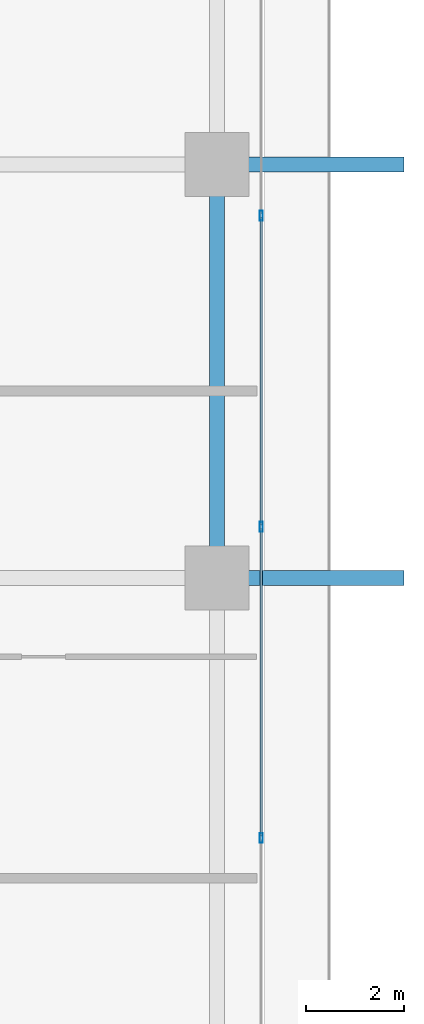
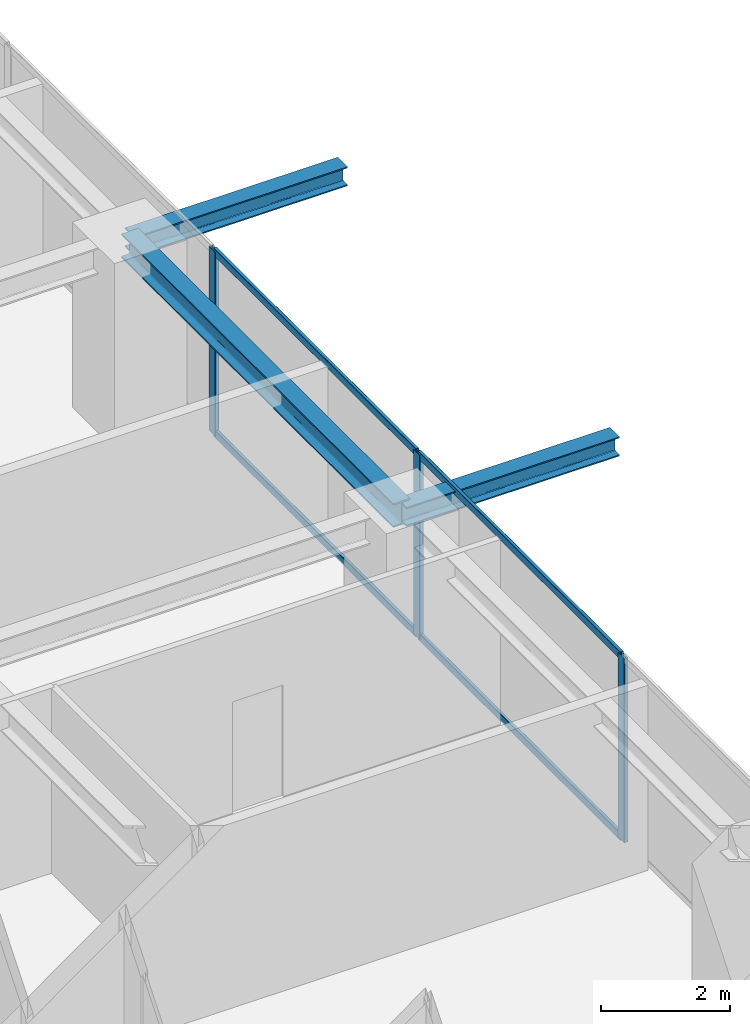
# One storey, part 15 of 34: 7 members, 3 beams, 1 element without a shape of its own.
"""IFC4 building model written with IfcOpenShell, lengths in metres."""

from ifc_helpers import new_model, si_unit, direction, frame, origin, origin_2d, place, context, subcontext, project, spatial, hollow_rectangle, i_section, extrude, source, transform, mapped, material, layer, layer_set, material_profile, profile_set, type_object, element, aggregate, save


model = new_model("IFC4")

# Units and contexts
model_context = context("Model", 3, precision=1e-05, world=origin(), true_north=direction((0.0, 1.0)))
body_context = subcontext(model_context, "Body", "Model", "MODEL_VIEW")
ifc_project = project(units=[si_unit("LENGTHUNIT", "METRE"), si_unit("AREAUNIT", "SQUARE_METRE"), si_unit("VOLUMEUNIT", "CUBIC_METRE"), si_unit("PLANEANGLEUNIT", "RADIAN"), si_unit("MASSUNIT", "GRAM", prefix="KILO")], contexts=[model_context])

# Site, building, storey
site_placement = place(None, origin())
site = spatial("IfcSite", under=ifc_project, at=site_placement, CompositionType="ELEMENT")
building_placement = place(site_placement, origin())
building = spatial("IfcBuilding", under=site, at=building_placement, Name="Serunith Strait Residences", CompositionType="ELEMENT")
storey_placement = place(building_placement, frame((0.0, 0.0, 187.64990234375)))
storey = spatial("IfcBuildingStorey", under=building, at=storey_placement, Name="L47", CompositionType="ELEMENT", Elevation=187.64990234375)

# Beams
ifc_material_1 = material(Name="Steel S355J2", Category="steel")
ifc_material_profile_1 = material_profile(ifc_material_1, i_section(OverallWidth=0.300048828125, OverallDepth=0.449951171875, WebThickness=0.013916015625, FlangeThickness=0.02587890625, FilletRadius=0.027099609375, at=origin_2d()), Name="HEB 450")
ifc_profile_set_1 = profile_set([ifc_material_profile_1], Name="Steel S355J2")
beam_type_1 = type_object("IfcBeamType", Name="BM-HEB450", PredefinedType="BEAM", material=ifc_profile_set_1)
shared_shape_1 = source(origin(), body_context, "Body", "SweptSolid", [
    extrude(i_section(OverallWidth=0.300048828125, OverallDepth=0.449951171875, WebThickness=0.013916015625, FlangeThickness=0.02587890625, FilletRadius=0.027099609375, at=origin_2d()), origin(), (0.0, 0.0, 1.0), 8.39990234375),
])
beam_placement = place(storey_placement, frame((56.10009765625, 21.0, 3.26220703125), z_axis=(0.0, 1.0, 0.0), x_axis=(-1.0, 0.0, 0.0)))
element("IfcBeam", 1, at=beam_placement, inside=storey, type_object=beam_type_1, Name="L47 Perimeter Ring Beam 06", PredefinedType="BEAM", context=body_context, shape_type="MappedRepresentation", body=[
    mapped(shared_shape_1, transform((0.0, 0.0, 0.0), scale=1.0)),
])
ifc_material_profile_2 = material_profile(ifc_material_1, i_section(OverallWidth=0.300048828125, OverallDepth=0.360107421875, WebThickness=0.012451171875, FlangeThickness=0.0224609375, FilletRadius=0.027099609375, at=origin_2d()), Name="HEB 360")
ifc_profile_set_2 = profile_set([ifc_material_profile_2], Name="Steel S355J2")
beam_type_2 = type_object("IfcBeamType", Name="BM-HEB360", PredefinedType="BEAM", material=ifc_profile_set_2)
shared_shape_2 = source(origin(), body_context, "Body", "SweptSolid", [
    extrude(i_section(OverallWidth=0.300048828125, OverallDepth=0.360107421875, WebThickness=0.012451171875, FlangeThickness=0.0224609375, FilletRadius=0.027099609375, at=origin_2d()), origin(), (0.0, 0.0, 1.0), 3.7998046875),
])
for number, where, z_axis, x_axis, name in (
    (2, (56.10009765625, 21.0, 3.277099609375), (1.0, 0.0, 0.0), (0.0, 1.0, 0.0), "L48 Cantilevered Balcony Rib TC-E2"),
    (3, (56.10009765625, 29.39990234375, 3.277099609375), (1.0, 0.0, 0.0), (0.0, 1.0, 0.0), "L48 Cantilevered Balcony Rib TC-E3"),
):
    element("IfcBeam", number, at=place(storey_placement, frame(where, z_axis=z_axis, x_axis=x_axis)), inside=storey, type_object=beam_type_2, Name=name, PredefinedType="BEAM", context=body_context, shape_type="MappedRepresentation", body=[
        mapped(shared_shape_2, transform((0.0, 0.0, 0.0), scale=1.0)),
    ])

# Curtain wall, members
ifc_material_2 = material(Name="Pale-Champagne Anodised Aluminium", Category="aluminium")
ifc_layer = layer(ifc_material_2, 0.199951171875, Name="Pale-Champagne Anodised Aluminium")
ifc_layer_set = layer_set([ifc_layer], Name="Pale-Champagne Anodised Aluminium")
curtain_wall_type = type_object("IfcCurtainWallType", Name="CW-SYS2", PredefinedType="NOTDEFINED", material=ifc_layer_set)
curtain_wall_placement = place(storey_placement, origin())
curtain_wall = element("IfcCurtainWall", 4, at=curtain_wall_placement, inside=storey, type_object=curtain_wall_type, Name="L47 E Unitised Fritted Curtain Wall", PredefinedType="NOTDEFINED")
ifc_material_profile_3 = material_profile(ifc_material_2, hollow_rectangle(XDim=0.070068359375, YDim=0.199951171875, WallThickness=0.00390625, InnerFilletRadius=0.006103515625, OuterFilletRadius=0.010009765625, at=origin_2d()), Name="ALU 200x70x4")
ifc_profile_set_3 = profile_set([ifc_material_profile_3], Name="Pale-Champagne Anodised Aluminium")
member_type_1 = type_object("IfcMemberType", Name="CW-SYS2-MULL", PredefinedType="MULLION", material=ifc_profile_set_3)
shared_shape_3 = source(origin(), body_context, "Body", "SweptSolid", [
    extrude(hollow_rectangle(XDim=0.070068359375, YDim=0.199951171875, WallThickness=0.00390625, InnerFilletRadius=0.006103515625, OuterFilletRadius=0.010009765625, at=origin_2d()), origin(), (0.0, 0.0, 1.0), 3.47509765625),
])
member_1_placement = place(storey_placement, frame((57.0, 15.719970703125, 0.0), z_axis=(0.0, 0.0, 1.0), x_axis=(-1.0, 0.0, 0.0)))
member_1 = element("IfcMember", 5, at=member_1_placement, type_object=member_type_1, Name="CW-2 mullion 2", PredefinedType="MULLION", context=body_context, shape_type="MappedRepresentation", body=[
    mapped(shared_shape_3, transform((0.0, 0.0, 0.0), scale=1.0)),
])
member_2_placement = place(storey_placement, frame((57.0, 22.0400390625, 0.0), z_axis=(0.0, 0.0, 1.0), x_axis=(-1.0, 0.0, 0.0)))
member_2 = element("IfcMember", 6, at=member_2_placement, type_object=member_type_1, Name="CW-2 mullion 3", PredefinedType="MULLION", context=body_context, shape_type="MappedRepresentation", body=[
    mapped(shared_shape_3, transform((0.0, 0.0, 0.0), scale=1.0)),
])
member_3_placement = place(storey_placement, frame((57.0, 28.360107421875, 0.0), z_axis=(0.0, 0.0, 1.0), x_axis=(-1.0, 0.0, 0.0)))
member_3 = element("IfcMember", 7, at=member_3_placement, type_object=member_type_1, Name="CW-2 mullion 4", PredefinedType="MULLION", context=body_context, shape_type="MappedRepresentation", body=[
    mapped(shared_shape_3, transform((0.0, 0.0, 0.0), scale=1.0)),
])
ifc_material_profile_4 = material_profile(ifc_material_2, hollow_rectangle(XDim=0.06005859375, YDim=0.139892578125, WallThickness=0.00341796875, InnerFilletRadius=0.00537109375, OuterFilletRadius=0.0087890625, at=origin_2d()), Name="ALU 140x60x3.5")
ifc_profile_set_4 = profile_set([ifc_material_profile_4], Name="Pale-Champagne Anodised Aluminium")
member_type_2 = type_object("IfcMemberType", Name="CW-SYS2-TRAN", PredefinedType="USERDEFINED", material=ifc_profile_set_4)
shared_shape_4 = source(origin(), body_context, "Body", "SweptSolid", [
    extrude(hollow_rectangle(XDim=0.06005859375, YDim=0.139892578125, WallThickness=0.00341796875, InnerFilletRadius=0.00537109375, OuterFilletRadius=0.0087890625, at=origin_2d()), origin(), (0.0, 0.0, 1.0), 6.25),
])
member_4_placement = place(storey_placement, frame((57.0, 15.7548828125, 0.030029296875), z_axis=(0.0, 1.0, 0.0), x_axis=(-1.0, 0.0, 0.0)))
member_4 = element("IfcMember", 8, at=member_4_placement, type_object=member_type_2, Name="CW-2 transom 2.1", ObjectType="TRANSOM", PredefinedType="USERDEFINED", context=body_context, shape_type="MappedRepresentation", body=[
    mapped(shared_shape_4, transform((0.0, 0.0, 0.0), scale=1.0)),
])
member_5_placement = place(storey_placement, frame((57.0, 15.7548828125, 3.445068359375), z_axis=(0.0, 1.0, 0.0), x_axis=(-1.0, 0.0, 0.0)))
member_5 = element("IfcMember", 9, at=member_5_placement, type_object=member_type_2, Name="CW-2 transom 2.2", ObjectType="TRANSOM", PredefinedType="USERDEFINED", context=body_context, shape_type="MappedRepresentation", body=[
    mapped(shared_shape_4, transform((0.0, 0.0, 0.0), scale=1.0)),
])
member_6_placement = place(storey_placement, frame((57.0, 22.074951171875, 0.030029296875), z_axis=(0.0, 1.0, 0.0), x_axis=(-1.0, 0.0, 0.0)))
member_6 = element("IfcMember", 10, at=member_6_placement, type_object=member_type_2, Name="CW-2 transom 3.1", ObjectType="TRANSOM", PredefinedType="USERDEFINED", context=body_context, shape_type="MappedRepresentation", body=[
    mapped(shared_shape_4, transform((0.0, 0.0, 0.0), scale=1.0)),
])
member_7_placement = place(storey_placement, frame((57.0, 22.074951171875, 3.445068359375), z_axis=(0.0, 1.0, 0.0), x_axis=(-1.0, 0.0, 0.0)))
member_7 = element("IfcMember", 11, at=member_7_placement, type_object=member_type_2, Name="CW-2 transom 3.2", ObjectType="TRANSOM", PredefinedType="USERDEFINED", context=body_context, shape_type="MappedRepresentation", body=[
    mapped(shared_shape_4, transform((0.0, 0.0, 0.0), scale=1.0)),
])
aggregate(curtain_wall, [member_1, member_2, member_3, member_4, member_5, member_6, member_7])

save(model, "model.ifc")
